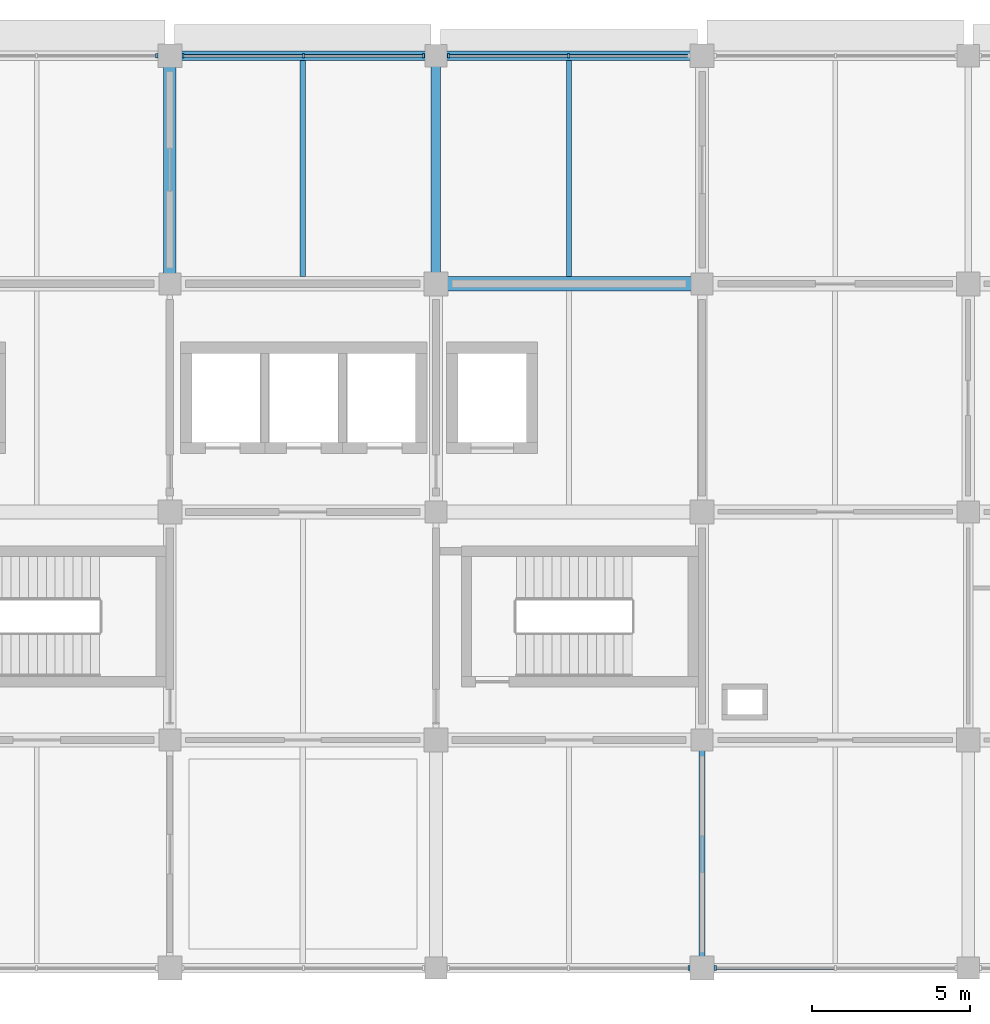
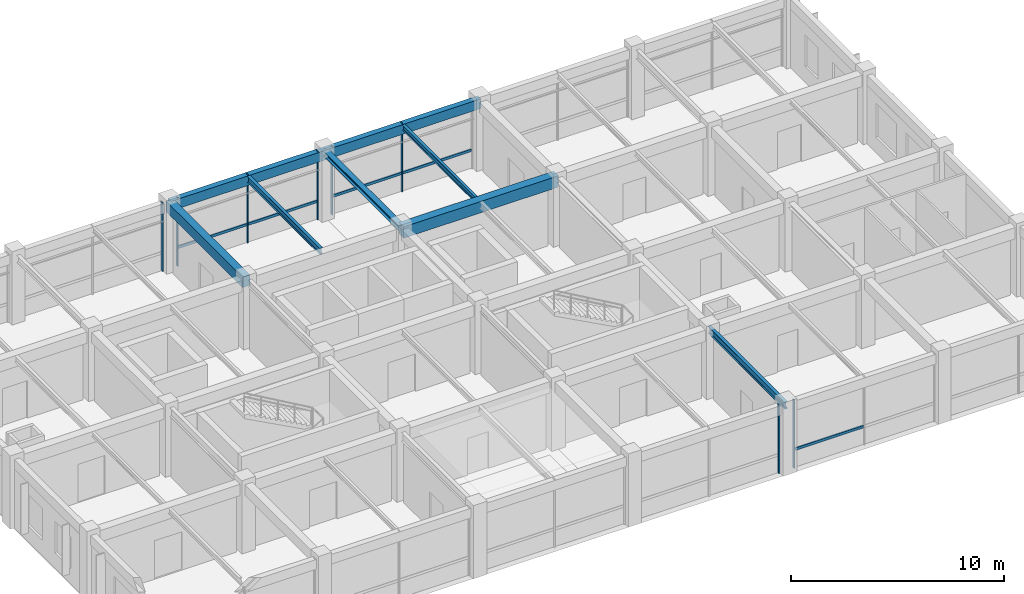
# One storey, part 5 of 13: 13 members, 8 beams, 5 elements without a shape of their own.
"""IFC4 building model written with IfcOpenShell, lengths in metres."""

from ifc_helpers import new_model, si_unit, derived_unit, direction, frame, origin, origin_2d, place, context, subcontext, project, spatial, rectangle, i_section, extrude, material, material_profile, profile_set, type_object, element, aggregate, save


model = new_model("IFC4")

# Units and contexts
model_context = context("Model", 3, precision=1e-05, world=origin(), true_north=direction((0.0, 1.0)))
body_context = subcontext(model_context, "Body", "Model", "MODEL_VIEW")
ifc_project = project(units=[si_unit("LENGTHUNIT", "METRE"), si_unit("AREAUNIT", "SQUARE_METRE"), si_unit("VOLUMEUNIT", "CUBIC_METRE"), si_unit("PLANEANGLEUNIT", "RADIAN"), si_unit("MASSUNIT", "GRAM", prefix="KILO"), derived_unit("THERMALTRANSMITTANCEUNIT", [(si_unit("MASSUNIT", "GRAM", prefix="KILO"), 1), (si_unit("TIMEUNIT", "SECOND"), -3), (si_unit("THERMODYNAMICTEMPERATUREUNIT", "KELVIN"), -1)])], contexts=[model_context])

# Site, building, storey
site_placement = place(None, origin())
site = spatial("IfcSite", under=ifc_project, at=site_placement, CompositionType="ELEMENT")
building_placement = place(site_placement, origin())
building = spatial("IfcBuilding", under=site, at=building_placement, Name="Veldstrom Oceanarium and Marine Research Institute", CompositionType="ELEMENT")
storey_placement = place(building_placement, frame((0.0, 0.0, 31.199951171875)))
storey = spatial("IfcBuildingStorey", under=building, at=storey_placement, Name="L06", CompositionType="ELEMENT", Elevation=31.199951171875)

# Curtain wall, member
ifc_material_1 = material(Name="Anodised Aluminium Framing", Category="aluminium")
curtain_wall_type = type_object("IfcCurtainWallType", Name="ARC-CW-CW04", PredefinedType="USERDEFINED", material=ifc_material_1)
curtain_wall_1_placement = place(storey_placement, origin())
curtain_wall_1 = element("IfcCurtainWall", 1, at=curtain_wall_1_placement, inside=storey, type_object=curtain_wall_type, Name="Curtain Wall CW04 CW-L06-103", ObjectType="Curtain wall", PredefinedType="USERDEFINED")
ifc_material_2 = material(Name="Anodised Aluminium Framing", Category="aluminium")
ifc_material_profile_1 = material_profile(ifc_material_2, rectangle(XDim=0.06494140625, YDim=0.14990234375, at=origin_2d()), Name="ALU-MUL-65x150")
ifc_profile_set_1 = profile_set([ifc_material_profile_1], Name="Anodised Aluminium Framing")
member_type_1 = type_object("IfcMemberType", Name="ARC-MUL-ML2", PredefinedType="MULLION", material=ifc_profile_set_1)
member_1_placement = place(storey_placement, frame((83.5849609375, 72.0, 0.0), z_axis=(0.0, 0.0, 1.0), x_axis=(1.0, 0.0, 0.0)))
member_1 = element("IfcMember", 2, at=member_1_placement, type_object=member_type_1, Name="Curtain Wall Mullion CW-L06-103-MUL-3", PredefinedType="MULLION", context=body_context, shape_type="SweptSolid", body=[
    extrude(rectangle(XDim=0.06494140625, YDim=0.14990234375, at=origin_2d()), origin(), (0.0, 0.0, 1.0), 3.920166015625),
])
aggregate(curtain_wall_1, [member_1])

# Curtain wall, members
curtain_wall_2_placement = place(storey_placement, origin())
curtain_wall_2 = element("IfcCurtainWall", 3, at=curtain_wall_2_placement, inside=storey, type_object=curtain_wall_type, Name="Curtain Wall CW04 CW-L06-105", ObjectType="Curtain wall", PredefinedType="USERDEFINED")
member_2_placement = place(storey_placement, frame((84.4150390625, 72.0, 0.0), z_axis=(0.0, 0.0, 1.0), x_axis=(1.0, 0.0, 0.0)))
member_2 = element("IfcMember", 4, at=member_2_placement, type_object=member_type_1, Name="Curtain Wall Mullion CW-L06-105-MUL-1", PredefinedType="MULLION", context=body_context, shape_type="SweptSolid", body=[
    extrude(rectangle(XDim=0.06494140625, YDim=0.14990234375, at=origin_2d()), origin(), (0.0, 0.0, 1.0), 3.920166015625),
])
member_3_placement = place(storey_placement, frame((88.21240234375, 72.0, 0.0), z_axis=(0.0, 0.0, 1.0), x_axis=(1.0, 0.0, 0.0)))
member_3 = element("IfcMember", 5, at=member_3_placement, type_object=member_type_1, Name="Curtain Wall Mullion CW-L06-105-MUL-2", PredefinedType="MULLION", context=body_context, shape_type="SweptSolid", body=[
    extrude(rectangle(XDim=0.06494140625, YDim=0.14990234375, at=origin_2d()), origin(), (0.0, 0.0, 1.0), 3.920166015625),
])
member_4_placement = place(storey_placement, frame((92.010009765625, 72.0, 0.0), z_axis=(0.0, 0.0, 1.0), x_axis=(1.0, 0.0, 0.0)))
member_4 = element("IfcMember", 6, at=member_4_placement, type_object=member_type_1, Name="Curtain Wall Mullion CW-L06-105-MUL-3", PredefinedType="MULLION", context=body_context, shape_type="SweptSolid", body=[
    extrude(rectangle(XDim=0.06494140625, YDim=0.14990234375, at=origin_2d()), origin(), (0.0, 0.0, 1.0), 3.920166015625),
])

# Curtain wall, member
curtain_wall_3_placement = place(storey_placement, origin())
curtain_wall_3 = element("IfcCurtainWall", 7, at=curtain_wall_3_placement, inside=storey, type_object=curtain_wall_type, Name="Curtain Wall CW04 CW-L06-106", ObjectType="Curtain wall", PredefinedType="USERDEFINED")
member_5_placement = place(storey_placement, frame((100.385009765625, 43.199951171875, 0.0), z_axis=(0.0, 0.0, 1.0), x_axis=(1.0, 0.0, 0.0)))
member_5 = element("IfcMember", 8, at=member_5_placement, type_object=member_type_1, Name="Curtain Wall Mullion CW-L06-106-MUL-3", PredefinedType="MULLION", context=body_context, shape_type="SweptSolid", body=[
    extrude(rectangle(XDim=0.06494140625, YDim=0.14990234375, at=origin_2d()), origin(), (0.0, 0.0, 1.0), 3.920166015625),
])
aggregate(curtain_wall_3, [member_5])

# Curtain wall, members
curtain_wall_4_placement = place(storey_placement, origin())
curtain_wall_4 = element("IfcCurtainWall", 9, at=curtain_wall_4_placement, inside=storey, type_object=curtain_wall_type, Name="Curtain Wall CW04 CW-L06-107", ObjectType="Curtain wall", PredefinedType="USERDEFINED")
member_6_placement = place(storey_placement, frame((92.7900390625, 72.0, 0.0), z_axis=(0.0, 0.0, 1.0), x_axis=(1.0, 0.0, 0.0)))
member_6 = element("IfcMember", 10, at=member_6_placement, type_object=member_type_1, Name="Curtain Wall Mullion CW-L06-107-MUL-1", PredefinedType="MULLION", context=body_context, shape_type="SweptSolid", body=[
    extrude(rectangle(XDim=0.06494140625, YDim=0.14990234375, at=origin_2d()), origin(), (0.0, 0.0, 1.0), 3.920166015625),
])
member_7_placement = place(storey_placement, frame((96.58740234375, 72.0, 0.0), z_axis=(0.0, 0.0, 1.0), x_axis=(1.0, 0.0, 0.0)))
member_7 = element("IfcMember", 11, at=member_7_placement, type_object=member_type_1, Name="Curtain Wall Mullion CW-L06-107-MUL-2", PredefinedType="MULLION", context=body_context, shape_type="SweptSolid", body=[
    extrude(rectangle(XDim=0.06494140625, YDim=0.14990234375, at=origin_2d()), origin(), (0.0, 0.0, 1.0), 3.920166015625),
])

# Curtain wall, member
curtain_wall_5_placement = place(storey_placement, origin())
curtain_wall_5 = element("IfcCurtainWall", 12, at=curtain_wall_5_placement, inside=storey, type_object=curtain_wall_type, Name="Curtain Wall CW04 CW-L06-108", ObjectType="Curtain wall", PredefinedType="USERDEFINED")
member_8_placement = place(storey_placement, frame((101.215087890625, 43.199951171875, 0.0), z_axis=(0.0, 0.0, 1.0), x_axis=(1.0, 0.0, 0.0)))
member_8 = element("IfcMember", 13, at=member_8_placement, type_object=member_type_1, Name="Curtain Wall Mullion CW-L06-108-MUL-1", PredefinedType="MULLION", context=body_context, shape_type="SweptSolid", body=[
    extrude(rectangle(XDim=0.06494140625, YDim=0.14990234375, at=origin_2d()), origin(), (0.0, 0.0, 1.0), 3.920166015625),
])

# Member
ifc_material_3 = material(Name="Anodised Aluminium Framing", Category="aluminium")
ifc_material_profile_2 = material_profile(ifc_material_3, rectangle(XDim=0.074951171875, YDim=0.14990234375, at=origin_2d()), Name="ALU-TRN-75x150")
ifc_profile_set_2 = profile_set([ifc_material_profile_2], Name="Anodised Aluminium Framing")
member_type_2 = type_object("IfcMemberType", Name="ARC-TRN-TR1", PredefinedType="USERDEFINED", material=ifc_profile_set_2)
member_9_placement = place(storey_placement, frame((84.455078125, 72.0, 1.050048828125), z_axis=(1.0, 0.0, 0.0), x_axis=(0.0, 1.0, 0.0)))
member_9 = element("IfcMember", 14, at=member_9_placement, type_object=member_type_2, Name="Curtain Wall Transom CW-L06-105-TRN-1", ObjectType="Transom", PredefinedType="USERDEFINED", context=body_context, shape_type="SweptSolid", body=[
    extrude(rectangle(XDim=0.074951171875, YDim=0.14990234375, at=origin_2d()), origin(), (0.0, 0.0, 1.0), 3.717529296875),
])

member_10_placement = place(storey_placement, frame((88.25244140625, 72.0, 1.050048828125), z_axis=(1.0, 0.0, 0.0), x_axis=(0.0, 1.0, 0.0)))
member_10 = element("IfcMember", 15, at=member_10_placement, type_object=member_type_2, Name="Curtain Wall Transom CW-L06-105-TRN-2", ObjectType="Transom", PredefinedType="USERDEFINED", context=body_context, shape_type="SweptSolid", body=[
    extrude(rectangle(XDim=0.074951171875, YDim=0.14990234375, at=origin_2d()), origin(), (0.0, 0.0, 1.0), 3.717529296875),
])

aggregate(curtain_wall_2, [member_2, member_3, member_4, member_9, member_10])

member_11_placement = place(storey_placement, frame((92.830078125, 72.0, 1.050048828125), z_axis=(1.0, 0.0, 0.0), x_axis=(0.0, 1.0, 0.0)))
member_11 = element("IfcMember", 16, at=member_11_placement, type_object=member_type_2, Name="Curtain Wall Transom CW-L06-107-TRN-1", ObjectType="Transom", PredefinedType="USERDEFINED", context=body_context, shape_type="SweptSolid", body=[
    extrude(rectangle(XDim=0.074951171875, YDim=0.14990234375, at=origin_2d()), origin(), (0.0, 0.0, 1.0), 3.717529296875),
])

member_12_placement = place(storey_placement, frame((96.62744140625, 72.0, 1.050048828125), z_axis=(1.0, 0.0, 0.0), x_axis=(0.0, 1.0, 0.0)))
member_12 = element("IfcMember", 17, at=member_12_placement, type_object=member_type_2, Name="Curtain Wall Transom CW-L06-107-TRN-2", ObjectType="Transom", PredefinedType="USERDEFINED", context=body_context, shape_type="SweptSolid", body=[
    extrude(rectangle(XDim=0.074951171875, YDim=0.14990234375, at=origin_2d()), origin(), (0.0, 0.0, 1.0), 3.717529296875),
])

aggregate(curtain_wall_4, [member_6, member_7, member_11, member_12])

member_13_placement = place(storey_placement, frame((101.2548828125, 43.199951171875, 1.050048828125), z_axis=(1.0, 0.0, 0.0), x_axis=(0.0, 1.0, 0.0)))
member_13 = element("IfcMember", 18, at=member_13_placement, type_object=member_type_2, Name="Curtain Wall Transom CW-L06-108-TRN-1", ObjectType="Transom", PredefinedType="USERDEFINED", context=body_context, shape_type="SweptSolid", body=[
    extrude(rectangle(XDim=0.074951171875, YDim=0.14990234375, at=origin_2d()), origin(), (0.0, 0.0, 1.0), 3.717529296875),
])

aggregate(curtain_wall_5, [member_8, member_13])

# Beams
ifc_material_4 = material(Name="Concrete C40/50", Category="concrete")
ifc_material_profile_3 = material_profile(ifc_material_4, rectangle(XDim=0.449951171875, YDim=0.64990234375, at=origin_2d()), Name="RC-BM-450x650")
ifc_profile_set_3 = profile_set([ifc_material_profile_3], Name="Concrete C40/50")
beam_type_1 = type_object("IfcBeamType", Name="STR-BM-B05", PredefinedType="BEAM", material=ifc_profile_set_3)
beam_1_placement = place(storey_placement, frame((92.39990234375, 64.800048828125, 3.590087890625), z_axis=(1.0, 0.0, 0.0), x_axis=(0.0, 1.0, 0.0)))
element("IfcBeam", 19, at=beam_1_placement, inside=storey, type_object=beam_type_1, Name="Primary Beam B05 L06-2271", PredefinedType="BEAM", context=body_context, shape_type="SweptSolid", body=[
    extrude(rectangle(XDim=0.449951171875, YDim=0.64990234375, at=origin_2d()), origin(), (0.0, 0.0, 1.0), 8.400146484375),
])
ifc_material_5 = material(Name="Concrete C40/50", Category="concrete")
ifc_material_profile_4 = material_profile(ifc_material_5, rectangle(XDim=0.39990234375, YDim=0.60009765625, at=origin_2d()), Name="RC-BM-400x600")
ifc_profile_set_4 = profile_set([ifc_material_profile_4], Name="Concrete C40/50")
beam_type_2 = type_object("IfcBeamType", Name="STR-BM-B06", PredefinedType="BEAM", material=ifc_profile_set_4)
beam_2_placement = place(storey_placement, frame((84.0, 64.800048828125, 3.614990234375), z_axis=(0.0, 1.0, 0.0), x_axis=(-1.0, 0.0, 0.0)))
element("IfcBeam", 20, at=beam_2_placement, inside=storey, type_object=beam_type_2, Name="Primary Beam B06 L06-2294", PredefinedType="BEAM", context=body_context, shape_type="SweptSolid", body=[
    extrude(rectangle(XDim=0.39990234375, YDim=0.60009765625, at=origin_2d()), origin(), (0.0, 0.0, 1.0), 7.199951171875),
])
ifc_material_6 = material(Name="Steel S355JR", Category="steel")
ifc_material_profile_5 = material_profile(ifc_material_6, i_section(OverallWidth=0.300048828125, OverallDepth=0.2900390625, WebThickness=0.008544921875, FlangeThickness=0.013916015625, FilletRadius=0.027099609375, at=origin_2d()), Name="HEA 300")
ifc_profile_set_5 = profile_set([ifc_material_profile_5], Name="Steel S355JR")
beam_type_3 = type_object("IfcBeamType", Name="STR-BM-SB10", PredefinedType="BEAM", material=ifc_profile_set_5)
beam_3_placement = place(storey_placement, frame((92.39990234375, 64.800048828125, 3.77001953125), z_axis=(0.0, 1.0, 0.0), x_axis=(-1.0, 0.0, 0.0)))
element("IfcBeam", 21, at=beam_3_placement, inside=storey, type_object=beam_type_3, Name="Steel Tie Beam SB10 L06-2298", PredefinedType="BEAM", context=body_context, shape_type="SweptSolid", body=[
    extrude(i_section(OverallWidth=0.300048828125, OverallDepth=0.2900390625, WebThickness=0.008544921875, FlangeThickness=0.013916015625, FilletRadius=0.027099609375, at=origin_2d()), origin(), (0.0, 0.0, 1.0), 7.199951171875),
])
ifc_material_7 = material(Name="Steel S355JR", Category="steel")
ifc_material_profile_6 = material_profile(ifc_material_7, i_section(OverallWidth=0.179931640625, OverallDepth=0.39990234375, WebThickness=0.008544921875, FlangeThickness=0.013427734375, FilletRadius=0.02099609375, at=origin_2d()), Name="IPE 400")
ifc_profile_set_6 = profile_set([ifc_material_profile_6], Name="Steel S355JR")
beam_type_4 = type_object("IfcBeamType", Name="STR-BM-SB8", PredefinedType="BEAM", material=ifc_profile_set_6)
beam_4_placement = place(storey_placement, frame((100.800048828125, 43.199951171875, 3.715087890625), z_axis=(0.0, 1.0, 0.0), x_axis=(-1.0, 0.0, 0.0)))
element("IfcBeam", 22, at=beam_4_placement, inside=storey, type_object=beam_type_4, Name="Steel Tie Beam SB8 L06-2299", PredefinedType="BEAM", context=body_context, shape_type="SweptSolid", body=[
    extrude(i_section(OverallWidth=0.179931640625, OverallDepth=0.39990234375, WebThickness=0.008544921875, FlangeThickness=0.013427734375, FilletRadius=0.02099609375, at=origin_2d()), origin(), (0.0, 0.0, 1.0), 7.199951171875),
])
ifc_material_8 = material(Name="Steel S355JR", Category="steel")
ifc_material_profile_7 = material_profile(ifc_material_8, i_section(OverallWidth=0.169921875, OverallDepth=0.360107421875, WebThickness=0.008056640625, FlangeThickness=0.0126953125, FilletRadius=0.01806640625, at=origin_2d()), Name="IPE 360")
ifc_profile_set_7 = profile_set([ifc_material_profile_7], Name="Steel S355JR")
beam_type_5 = type_object("IfcBeamType", Name="STR-JST-SJ1", PredefinedType="JOIST", material=ifc_profile_set_7)
beam_5_placement = place(storey_placement, frame((88.199951171875, 65.02490234375, 3.735107421875), z_axis=(0.0, 1.0, 0.0), x_axis=(-1.0, 0.0, 0.0)))
element("IfcBeam", 23, at=beam_5_placement, inside=storey, type_object=beam_type_5, Name="Secondary Joist SJ1 L06-2320", PredefinedType="JOIST", context=body_context, shape_type="SweptSolid", body=[
    extrude(i_section(OverallWidth=0.169921875, OverallDepth=0.360107421875, WebThickness=0.008056640625, FlangeThickness=0.0126953125, FilletRadius=0.01806640625, at=origin_2d()), origin(), (0.0, 0.0, 1.0), 6.8251953125),
])
ifc_material_9 = material(Name="Steel S355JR", Category="steel")
ifc_material_profile_8 = material_profile(ifc_material_9, i_section(OverallWidth=0.14990234375, OverallDepth=0.300048828125, WebThickness=0.007080078125, FlangeThickness=0.0107421875, FilletRadius=0.014892578125, at=origin_2d()), Name="IPE 300")
ifc_profile_set_8 = profile_set([ifc_material_profile_8], Name="Steel S355JR")
beam_type_6 = type_object("IfcBeamType", Name="STR-JST-SJ2", PredefinedType="JOIST", material=ifc_profile_set_8)
beam_6_placement = place(storey_placement, frame((96.60009765625, 65.02490234375, 3.76513671875), z_axis=(0.0, 1.0, 0.0), x_axis=(-1.0, 0.0, 0.0)))
element("IfcBeam", 24, at=beam_6_placement, inside=storey, type_object=beam_type_6, Name="Secondary Joist SJ2 L06-2323", PredefinedType="JOIST", context=body_context, shape_type="SweptSolid", body=[
    extrude(i_section(OverallWidth=0.14990234375, OverallDepth=0.300048828125, WebThickness=0.007080078125, FlangeThickness=0.0107421875, FilletRadius=0.014892578125, at=origin_2d()), origin(), (0.0, 0.0, 1.0), 6.8251953125),
])
ifc_material_10 = material(Name="Concrete C40/50", Category="concrete")
ifc_material_profile_9 = material_profile(ifc_material_10, rectangle(XDim=0.300048828125, YDim=0.550048828125, at=origin_2d()), Name="RC-SPN-300x550")
ifc_profile_set_9 = profile_set([ifc_material_profile_9], Name="Concrete C40/50")
beam_type_7 = type_object("IfcBeamType", Name="STR-SPN-SP2", PredefinedType="SPANDREL", material=ifc_profile_set_9)
beam_7_placement = place(storey_placement, frame((84.0, 72.0, 3.64013671875), z_axis=(1.0, 0.0, 0.0), x_axis=(0.0, 1.0, 0.0)))
element("IfcBeam", 25, at=beam_7_placement, inside=storey, type_object=beam_type_7, Name="Perimeter Spandrel SPB2 L06-2267", PredefinedType="SPANDREL", context=body_context, shape_type="SweptSolid", body=[
    extrude(rectangle(XDim=0.300048828125, YDim=0.550048828125, at=origin_2d()), origin(), (0.0, 0.0, 1.0), 8.39990234375),
])
beam_8_placement = place(storey_placement, frame((92.39990234375, 72.0, 3.64013671875), z_axis=(1.0, 0.0, 0.0), x_axis=(0.0, 1.0, 0.0)))
element("IfcBeam", 26, at=beam_8_placement, inside=storey, type_object=beam_type_7, Name="Perimeter Spandrel SPB2 L06-2272", PredefinedType="SPANDREL", context=body_context, shape_type="SweptSolid", body=[
    extrude(rectangle(XDim=0.300048828125, YDim=0.550048828125, at=origin_2d()), origin(), (0.0, 0.0, 1.0), 8.400146484375),
])

save(model, "model.ifc")
